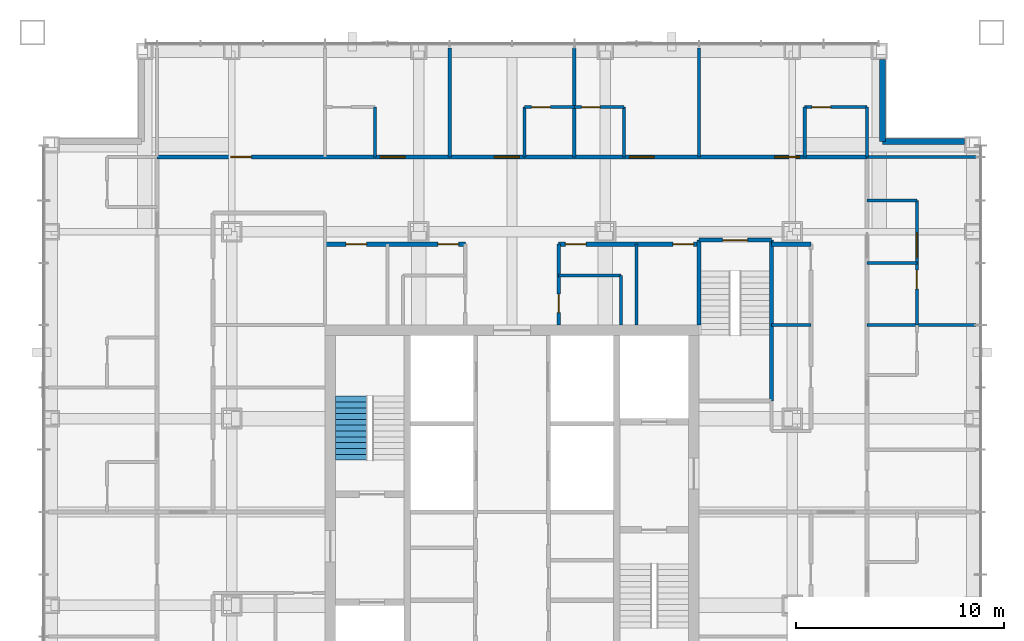
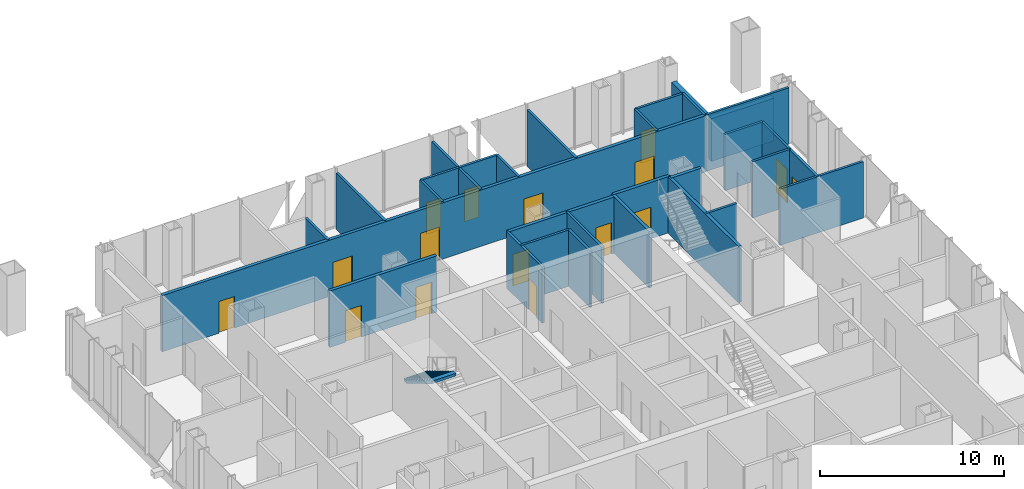
# One storey, part 16 of 20: 31 walls, 16 doors, 1 stair flight, 16 openings, 1 element without a shape of its own.
"""IFC4 building model written with IfcOpenShell, lengths in metres."""

from ifc_helpers import new_model, si_unit, direction, frame, frame_2d, origin, place, context, subcontext, project, spatial, polyline, rectangle, outline, extrude, material, layer, layer_set, type_object, element, fill, aggregate, save


model = new_model("IFC4")

# Units and contexts
model_context = context("Model", 3, precision=1e-05, world=origin(), true_north=direction((0.0, 1.0)))
body_context = subcontext(model_context, "Body", "Model", "MODEL_VIEW")
ifc_project = project(units=[si_unit("LENGTHUNIT", "METRE"), si_unit("AREAUNIT", "SQUARE_METRE"), si_unit("VOLUMEUNIT", "CUBIC_METRE"), si_unit("PLANEANGLEUNIT", "RADIAN"), si_unit("MASSUNIT", "GRAM", prefix="KILO")], contexts=[model_context])

# Site, building, storey
site_placement = place(None, origin())
site = spatial("IfcSite", under=ifc_project, at=site_placement, CompositionType="ELEMENT")
building_placement = place(site_placement, origin())
building = spatial("IfcBuilding", under=site, at=building_placement, Name="Malebo Sky Hospital", CompositionType="ELEMENT")
storey_placement = place(building_placement, frame((0.0, 0.0, 233.0)))
storey = spatial("IfcBuildingStorey", under=building, at=storey_placement, Name="L56", CompositionType="ELEMENT", Elevation=233.0)

# Wall, openings, doors
ifc_material_1 = material(Name="Gypsum board on steel studs", Category="steel")
ifc_layer_1 = layer(ifc_material_1, 0.199951171875)
ifc_layer_set_1 = layer_set([ifc_layer_1], Name="CORRIDOR WALL 200")
wall_type_1 = type_object("IfcWallType", Name="CORRIDOR WALL 200", PredefinedType="PARTITIONING", material=ifc_layer_set_1)
wall_1_placement = place(storey_placement, frame((42.89990234375, 79.10009765625, 0.0), z_axis=(0.0, 0.0, 1.0), x_axis=(1.0, 0.0, 0.0)))
wall_1 = element("IfcWall", 1, at=wall_1_placement, inside=storey, type_object=wall_type_1, Name="Corridor Wall 200 NCO", PredefinedType="PARTITIONING", context=body_context, shape_type="SweptSolid", body=[
    extrude(rectangle(XDim=34.2001953125, YDim=0.199951171875, at=frame_2d((17.10009765625, 0.0))), origin(), (0.0, 0.0, 1.0), 3.75),
])
opening_1_placement = place(wall_1_placement, frame((3.550048828125, 0.0, 0.0)))
opening_1 = element("IfcOpeningElement", 2, at=opening_1_placement, cuts=wall_1, Name="Opening D03", PredefinedType="OPENING", context=body_context, shape_type="SweptSolid", body=[
    extrude(rectangle(XDim=1.0, YDim=2.10009765625, at=frame_2d((0.5, 1.050048828125))), frame((0.0, 0.10986328125, 0.0), z_axis=(0.0, -1.0, 0.0), x_axis=(1.0, 0.0, 0.0)), (0.0, 0.0, 1.0), 0.219970703125),
])
opening_2_placement = place(wall_1_placement, frame((10.75, 0.0, 0.0)))
opening_2 = element("IfcOpeningElement", 3, at=opening_2_placement, cuts=wall_1, Name="Opening D01", PredefinedType="OPENING", context=body_context, shape_type="SweptSolid", body=[
    extrude(rectangle(XDim=1.199951171875, YDim=2.199951171875, at=frame_2d((0.60009765625, 1.10009765625))), frame((0.0, 0.10986328125, 0.0), z_axis=(0.0, -1.0, 0.0), x_axis=(1.0, 0.0, 0.0)), (0.0, 0.0, 1.0), 0.219970703125),
])
opening_3_placement = place(wall_1_placement, frame((16.25, 0.0, 0.0)))
opening_3 = element("IfcOpeningElement", 4, at=opening_3_placement, cuts=wall_1, Name="Opening D01", PredefinedType="OPENING", context=body_context, shape_type="SweptSolid", body=[
    extrude(rectangle(XDim=1.199951171875, YDim=2.199951171875, at=frame_2d((0.60009765625, 1.10009765625))), frame((0.0, 0.10986328125, 0.0), z_axis=(0.0, -1.0, 0.0), x_axis=(1.0, 0.0, 0.0)), (0.0, 0.0, 1.0), 0.219970703125),
])
opening_4_placement = place(wall_1_placement, frame((22.75, 0.0, 0.0)))
opening_4 = element("IfcOpeningElement", 5, at=opening_4_placement, cuts=wall_1, Name="Opening D01", PredefinedType="OPENING", context=body_context, shape_type="SweptSolid", body=[
    extrude(rectangle(XDim=1.199951171875, YDim=2.199951171875, at=frame_2d((0.60009765625, 1.10009765625))), frame((0.0, 0.10986328125, 0.0), z_axis=(0.0, -1.0, 0.0), x_axis=(1.0, 0.0, 0.0)), (0.0, 0.0, 1.0), 0.219970703125),
])
opening_5_placement = place(wall_1_placement, frame((29.75, 0.0, 0.0)))
opening_5 = element("IfcOpeningElement", 6, at=opening_5_placement, cuts=wall_1, Name="Opening D01", PredefinedType="OPENING", context=body_context, shape_type="SweptSolid", body=[
    extrude(rectangle(XDim=1.199951171875, YDim=2.199951171875, at=frame_2d((0.60009765625, 1.10009765625))), frame((0.0, 0.10986328125, 0.0), z_axis=(0.0, -1.0, 0.0), x_axis=(1.0, 0.0, 0.0)), (0.0, 0.0, 1.0), 0.219970703125),
])
ifc_material_2 = material(Name="Hardwood-faced door leaf in steel frame", Category="steel")
door_type_1 = type_object("IfcDoorType", Name="BED DOOR 1200", OperationType="SINGLE_SWING_LEFT", PredefinedType="DOOR", material=ifc_material_2)
door_1_placement = place(opening_2_placement, origin())
door_1 = element("IfcDoor", 7, at=door_1_placement, inside=storey, type_object=door_type_1, Name="Single bed room door", OperationType="SINGLE_SWING_LEFT", OverallHeight=2.199951171875, OverallWidth=1.199951171875, PredefinedType="DOOR", context=body_context, shape_type="SweptSolid", body=[
    extrude(rectangle(XDim=1.199951171875, YDim=2.199951171875, at=frame_2d((0.60009765625, 1.10009765625))), frame((0.0, 0.02490234375, 0.0), z_axis=(0.0, -1.0, 0.0), x_axis=(1.0, 0.0, 0.0)), (0.0, 0.0, 1.0), 0.050048828125),
])
fill(opening_2, door_1)
door_2_placement = place(opening_3_placement, origin())
door_2 = element("IfcDoor", 8, at=door_2_placement, inside=storey, type_object=door_type_1, Name="Single bed room door", OperationType="SINGLE_SWING_RIGHT", OverallHeight=2.199951171875, OverallWidth=1.199951171875, PredefinedType="DOOR", context=body_context, shape_type="SweptSolid", body=[
    extrude(rectangle(XDim=1.199951171875, YDim=2.199951171875, at=frame_2d((0.60009765625, 1.10009765625))), frame((0.0, 0.02490234375, 0.0), z_axis=(0.0, -1.0, 0.0), x_axis=(1.0, 0.0, 0.0)), (0.0, 0.0, 1.0), 0.050048828125),
])
fill(opening_3, door_2)
door_3_placement = place(opening_4_placement, origin())
door_3 = element("IfcDoor", 9, at=door_3_placement, inside=storey, type_object=door_type_1, Name="Single bed room door", OperationType="SINGLE_SWING_LEFT", OverallHeight=2.199951171875, OverallWidth=1.199951171875, PredefinedType="DOOR", context=body_context, shape_type="SweptSolid", body=[
    extrude(rectangle(XDim=1.199951171875, YDim=2.199951171875, at=frame_2d((0.60009765625, 1.10009765625))), frame((0.0, 0.02490234375, 0.0), z_axis=(0.0, -1.0, 0.0), x_axis=(1.0, 0.0, 0.0)), (0.0, 0.0, 1.0), 0.050048828125),
])
fill(opening_4, door_3)
door_4_placement = place(opening_5_placement, origin())
door_4 = element("IfcDoor", 10, at=door_4_placement, inside=storey, type_object=door_type_1, Name="Two-bed room door", OperationType="SINGLE_SWING_RIGHT", OverallHeight=2.199951171875, OverallWidth=1.199951171875, PredefinedType="DOOR", context=body_context, shape_type="SweptSolid", body=[
    extrude(rectangle(XDim=1.199951171875, YDim=2.199951171875, at=frame_2d((0.60009765625, 1.10009765625))), frame((0.0, 0.02490234375, 0.0), z_axis=(0.0, -1.0, 0.0), x_axis=(1.0, 0.0, 0.0)), (0.0, 0.0, 1.0), 0.050048828125),
])
fill(opening_5, door_4)
door_type_2 = type_object("IfcDoorType", Name="ROOM DOOR 1000", OperationType="SINGLE_SWING_LEFT", PredefinedType="DOOR", material=ifc_material_2)
door_5_placement = place(opening_1_placement, origin())
door_5 = element("IfcDoor", 11, at=door_5_placement, inside=storey, type_object=door_type_2, Name="School room door", OperationType="SINGLE_SWING_LEFT", OverallHeight=2.10009765625, OverallWidth=1.0, PredefinedType="DOOR", context=body_context, shape_type="SweptSolid", body=[
    extrude(rectangle(XDim=1.0, YDim=2.10009765625, at=frame_2d((0.5, 1.050048828125))), frame((0.0, 0.02490234375, 0.0), z_axis=(0.0, -1.0, 0.0), x_axis=(1.0, 0.0, 0.0)), (0.0, 0.0, 1.0), 0.050048828125),
])
fill(opening_1, door_5)

wall_2_placement = place(storey_placement, frame((51.0, 74.89990234375, 0.0), z_axis=(0.0, 0.0, 1.0), x_axis=(1.0, 0.0, 0.0)))
wall_2 = element("IfcWall", 12, at=wall_2_placement, inside=storey, type_object=wall_type_1, Name="Corridor Wall 200 NCI1", PredefinedType="PARTITIONING", context=body_context, shape_type="SweptSolid", body=[
    extrude(rectangle(XDim=6.75, YDim=0.199951171875, at=frame_2d((3.375, 0.0))), origin(), (0.0, 0.0, 1.0), 3.75),
])
opening_6_placement = place(wall_2_placement, frame((1.0, 0.0, 0.0)))
opening_6 = element("IfcOpeningElement", 13, at=opening_6_placement, cuts=wall_2, Name="Opening D03", PredefinedType="OPENING", context=body_context, shape_type="SweptSolid", body=[
    extrude(rectangle(XDim=1.0, YDim=2.10009765625, at=frame_2d((0.5, 1.050048828125))), frame((0.0, 0.10986328125, 0.0), z_axis=(0.0, -1.0, 0.0), x_axis=(1.0, 0.0, 0.0)), (0.0, 0.0, 1.0), 0.219970703125),
])
opening_7_placement = place(wall_2_placement, frame((5.425048828125, 0.0, 0.0)))
opening_7 = element("IfcOpeningElement", 14, at=opening_7_placement, cuts=wall_2, Name="Opening D03", PredefinedType="OPENING", context=body_context, shape_type="SweptSolid", body=[
    extrude(rectangle(XDim=1.0, YDim=2.10009765625, at=frame_2d((0.5, 1.050048828125))), frame((0.0, 0.10986328125, 0.0), z_axis=(0.0, -1.0, 0.0), x_axis=(1.0, 0.0, 0.0)), (0.0, 0.0, 1.0), 0.219970703125),
])
door_6_placement = place(opening_6_placement, origin())
door_6 = element("IfcDoor", 15, at=door_6_placement, inside=storey, type_object=door_type_2, Name="Sensory room door", OperationType="SINGLE_SWING_LEFT", OverallHeight=2.10009765625, OverallWidth=1.0, PredefinedType="DOOR", context=body_context, shape_type="SweptSolid", body=[
    extrude(rectangle(XDim=1.0, YDim=2.10009765625, at=frame_2d((0.5, 1.050048828125))), frame((0.0, 0.02490234375, 0.0), z_axis=(0.0, -1.0, 0.0), x_axis=(1.0, 0.0, 0.0)), (0.0, 0.0, 1.0), 0.050048828125),
])
fill(opening_6, door_6)
door_7_placement = place(opening_7_placement, origin())
door_7 = element("IfcDoor", 16, at=door_7_placement, inside=storey, type_object=door_type_2, Name="Equipment store door", OperationType="SINGLE_SWING_RIGHT", OverallHeight=2.10009765625, OverallWidth=1.0, PredefinedType="DOOR", context=body_context, shape_type="SweptSolid", body=[
    extrude(rectangle(XDim=1.0, YDim=2.10009765625, at=frame_2d((0.5, 1.050048828125))), frame((0.0, 0.02490234375, 0.0), z_axis=(0.0, -1.0, 0.0), x_axis=(1.0, 0.0, 0.0)), (0.0, 0.0, 1.0), 0.050048828125),
])
fill(opening_7, door_7)

wall_3_placement = place(storey_placement, frame((62.25, 74.89990234375, 0.0), z_axis=(0.0, 0.0, 1.0), x_axis=(1.0, 0.0, 0.0)))
wall_3 = element("IfcWall", 17, at=wall_3_placement, inside=storey, type_object=wall_type_1, Name="Corridor Wall 200 NCI2", PredefinedType="PARTITIONING", context=body_context, shape_type="SweptSolid", body=[
    extrude(rectangle(XDim=6.75, YDim=0.199951171875, at=frame_2d((3.375, 0.0))), origin(), (0.0, 0.0, 1.0), 3.75),
])
opening_8_placement = place(wall_3_placement, frame((0.324951171875, 0.0, 0.0)))
opening_8 = element("IfcOpeningElement", 18, at=opening_8_placement, cuts=wall_3, Name="Opening D03", PredefinedType="OPENING", context=body_context, shape_type="SweptSolid", body=[
    extrude(rectangle(XDim=1.0, YDim=2.10009765625, at=frame_2d((0.5, 1.050048828125))), frame((0.0, 0.10986328125, 0.0), z_axis=(0.0, -1.0, 0.0), x_axis=(1.0, 0.0, 0.0)), (0.0, 0.0, 1.0), 0.219970703125),
])
opening_9_placement = place(wall_3_placement, frame((5.5, 0.0, 0.0)))
opening_9 = element("IfcOpeningElement", 19, at=opening_9_placement, cuts=wall_3, Name="Opening D03", PredefinedType="OPENING", context=body_context, shape_type="SweptSolid", body=[
    extrude(rectangle(XDim=1.0, YDim=2.10009765625, at=frame_2d((0.5, 1.050048828125))), frame((0.0, 0.10986328125, 0.0), z_axis=(0.0, -1.0, 0.0), x_axis=(1.0, 0.0, 0.0)), (0.0, 0.0, 1.0), 0.219970703125),
])
door_8_placement = place(opening_8_placement, origin())
door_8 = element("IfcDoor", 20, at=door_8_placement, inside=storey, type_object=door_type_2, Name="Medication room door", OperationType="SINGLE_SWING_LEFT", OverallHeight=2.10009765625, OverallWidth=1.0, PredefinedType="DOOR", context=body_context, shape_type="SweptSolid", body=[
    extrude(rectangle(XDim=1.0, YDim=2.10009765625, at=frame_2d((0.5, 1.050048828125))), frame((0.0, 0.02490234375, 0.0), z_axis=(0.0, -1.0, 0.0), x_axis=(1.0, 0.0, 0.0)), (0.0, 0.0, 1.0), 0.050048828125),
])
fill(opening_8, door_8)
door_9_placement = place(opening_9_placement, origin())
door_9 = element("IfcDoor", 21, at=door_9_placement, inside=storey, type_object=door_type_2, Name="Teenage lounge door", OperationType="SINGLE_SWING_RIGHT", OverallHeight=2.10009765625, OverallWidth=1.0, PredefinedType="DOOR", context=body_context, shape_type="SweptSolid", body=[
    extrude(rectangle(XDim=1.0, YDim=2.10009765625, at=frame_2d((0.5, 1.050048828125))), frame((0.0, 0.02490234375, 0.0), z_axis=(0.0, -1.0, 0.0), x_axis=(1.0, 0.0, 0.0)), (0.0, 0.0, 1.0), 0.050048828125),
])
fill(opening_9, door_9)

# Walls
wall_4_placement = place(storey_placement, frame((72.5, 74.89990234375, 0.0), z_axis=(0.0, 0.0, 1.0), x_axis=(1.0, 0.0, 0.0)))
element("IfcWall", 22, at=wall_4_placement, inside=storey, type_object=wall_type_1, Name="Corridor Wall 200 NCI2/2", PredefinedType="PARTITIONING", context=body_context, shape_type="SweptSolid", body=[
    extrude(rectangle(XDim=1.89990234375, YDim=0.199951171875, at=frame_2d((0.949951171875, 0.0))), origin(), (0.0, 0.0, 1.0), 3.75),
])
ifc_material_3 = material(Name="Anodised aluminium rainscreen on steel framing", Category="steel")
ifc_layer_2 = layer(ifc_material_3, 0.300048828125)
ifc_layer_set_2 = layer_set([ifc_layer_2], Name="NOTCH RAINSCREEN WALL 300")
wall_type_2 = type_object("IfcWallType", Name="NOTCH RAINSCREEN WALL 300", PredefinedType="ELEMENTEDWALL", material=ifc_layer_set_2)
for number, where, z_axis, x_axis, name in (
    (23, (77.85009765625, 83.800048828125, 0.0), (0.0, 0.0, 1.0), (0.0, -1.0, 0.0), "Notch rainscreen wall N1 L56"),
    (24, (77.85009765625, 79.85009765625, 0.0), (0.0, 0.0, 1.0), (1.0, 0.0, 0.0), "Notch rainscreen wall N2 L56"),
):
    element("IfcWall", number, at=place(storey_placement, frame(where, z_axis=z_axis, x_axis=x_axis)), inside=storey, type_object=wall_type_2, Name=name, PredefinedType="ELEMENTEDWALL", context=body_context, shape_type="SweptSolid", body=[
        extrude(rectangle(XDim=3.949951171875, YDim=0.300048828125, at=frame_2d((1.97509765625, 0.0))), origin(), (0.0, 0.0, 1.0), 2.85009765625),
    ])
ifc_layer_3 = layer(ifc_material_1, 0.14990234375)
ifc_layer_set_3 = layer_set([ifc_layer_3], Name="PARTITION 150")
wall_type_3 = type_object("IfcWallType", Name="PARTITION 150", PredefinedType="PARTITIONING", material=ifc_layer_set_3)
for number, where, z_axis, x_axis, name in (
    (25, (57.0, 79.10009765625, 0.0), (0.0, 0.0, 1.0), (0.0, 1.0, 0.0), "Partition 150 NP-3.0"),
    (26, (63.0, 79.10009765625, 0.0), (0.0, 0.0, 1.0), (0.0, 1.0, 0.0), "Partition 150 NP+3.0"),
    (27, (69.0, 79.10009765625, 0.0), (0.0, 0.0, 1.0), (0.0, 1.0, 0.0), "Partition 150 NP+9.0"),
):
    element("IfcWall", number, at=place(storey_placement, frame(where, z_axis=z_axis, x_axis=x_axis)), inside=storey, type_object=wall_type_3, Name=name, PredefinedType="PARTITIONING", context=body_context, shape_type="SweptSolid", body=[
        extrude(rectangle(XDim=5.25, YDim=0.14990234375, at=frame_2d((2.625, 0.0))), origin(), (0.0, 0.0, 1.0), 3.75),
    ])
wall_5_placement = place(storey_placement, frame((53.39990234375, 79.10009765625, 0.0), z_axis=(0.0, 0.0, 1.0), x_axis=(0.0, 1.0, 0.0)))
element("IfcWall", 28, at=wall_5_placement, inside=storey, type_object=wall_type_3, Name="Partition 150 NE1S", PredefinedType="PARTITIONING", context=body_context, shape_type="SweptSolid", body=[
    extrude(rectangle(XDim=2.39990234375, YDim=0.14990234375, at=frame_2d((1.199951171875, 0.0))), origin(), (0.0, 0.0, 1.0), 3.75),
])

# Wall, opening, door
wall_6_placement = place(storey_placement, frame((60.60009765625, 81.5, 0.0), z_axis=(0.0, 0.0, 1.0), x_axis=(1.0, 0.0, 0.0)))
wall_6 = element("IfcWall", 29, at=wall_6_placement, inside=storey, type_object=wall_type_3, Name="Partition 150 NE2F", PredefinedType="PARTITIONING", context=body_context, shape_type="SweptSolid", body=[
    extrude(rectangle(XDim=2.39990234375, YDim=0.14990234375, at=frame_2d((1.199951171875, 0.0))), origin(), (0.0, 0.0, 1.0), 3.75),
])
opening_10_placement = place(wall_6_placement, frame((0.35009765625, 0.0, 0.0)))
opening_10 = element("IfcOpeningElement", 30, at=opening_10_placement, cuts=wall_6, Name="Opening D02", PredefinedType="OPENING", context=body_context, shape_type="SweptSolid", body=[
    extrude(rectangle(XDim=0.89990234375, YDim=2.10009765625, at=frame_2d((0.449951171875, 1.050048828125))), frame((0.0, 0.0849609375, 0.0), z_axis=(0.0, -1.0, 0.0), x_axis=(1.0, 0.0, 0.0)), (0.0, 0.0, 1.0), 0.169921875),
])
door_type_3 = type_object("IfcDoorType", Name="EN-SUITE DOOR 900", OperationType="SINGLE_SWING_LEFT", PredefinedType="DOOR", material=ifc_material_2)
door_10_placement = place(opening_10_placement, origin())
door_10 = element("IfcDoor", 31, at=door_10_placement, inside=storey, type_object=door_type_3, Name="En-suite door", OperationType="SINGLE_SWING_LEFT", OverallHeight=2.10009765625, OverallWidth=0.89990234375, PredefinedType="DOOR", context=body_context, shape_type="SweptSolid", body=[
    extrude(rectangle(XDim=0.89990234375, YDim=2.10009765625, at=frame_2d((0.449951171875, 1.050048828125))), frame((0.0, 0.02490234375, 0.0), z_axis=(0.0, -1.0, 0.0), x_axis=(1.0, 0.0, 0.0)), (0.0, 0.0, 1.0), 0.050048828125),
])
fill(opening_10, door_10)

# Wall
wall_7_placement = place(storey_placement, frame((60.60009765625, 79.10009765625, 0.0), z_axis=(0.0, 0.0, 1.0), x_axis=(0.0, 1.0, 0.0)))
element("IfcWall", 32, at=wall_7_placement, inside=storey, type_object=wall_type_3, Name="Partition 150 NE2S", PredefinedType="PARTITIONING", context=body_context, shape_type="SweptSolid", body=[
    extrude(rectangle(XDim=2.39990234375, YDim=0.14990234375, at=frame_2d((1.199951171875, 0.0))), origin(), (0.0, 0.0, 1.0), 3.75),
])

# Wall, opening, door
wall_8_placement = place(storey_placement, frame((63.0, 81.5, 0.0), z_axis=(0.0, 0.0, 1.0), x_axis=(1.0, 0.0, 0.0)))
wall_8 = element("IfcWall", 33, at=wall_8_placement, inside=storey, type_object=wall_type_3, Name="Partition 150 NE3F", PredefinedType="PARTITIONING", context=body_context, shape_type="SweptSolid", body=[
    extrude(rectangle(XDim=2.39990234375, YDim=0.14990234375, at=frame_2d((1.199951171875, 0.0))), origin(), (0.0, 0.0, 1.0), 3.75),
])
opening_11_placement = place(wall_8_placement, frame((0.35009765625, 0.0, 0.0)))
opening_11 = element("IfcOpeningElement", 34, at=opening_11_placement, cuts=wall_8, Name="Opening D02", PredefinedType="OPENING", context=body_context, shape_type="SweptSolid", body=[
    extrude(rectangle(XDim=0.89990234375, YDim=2.10009765625, at=frame_2d((0.449951171875, 1.050048828125))), frame((0.0, 0.0849609375, 0.0), z_axis=(0.0, -1.0, 0.0), x_axis=(1.0, 0.0, 0.0)), (0.0, 0.0, 1.0), 0.169921875),
])
door_11_placement = place(opening_11_placement, origin())
door_11 = element("IfcDoor", 35, at=door_11_placement, inside=storey, type_object=door_type_3, Name="En-suite door", OperationType="SINGLE_SWING_LEFT", OverallHeight=2.10009765625, OverallWidth=0.89990234375, PredefinedType="DOOR", context=body_context, shape_type="SweptSolid", body=[
    extrude(rectangle(XDim=0.89990234375, YDim=2.10009765625, at=frame_2d((0.449951171875, 1.050048828125))), frame((0.0, 0.02490234375, 0.0), z_axis=(0.0, -1.0, 0.0), x_axis=(1.0, 0.0, 0.0)), (0.0, 0.0, 1.0), 0.050048828125),
])
fill(opening_11, door_11)

# Wall
wall_9_placement = place(storey_placement, frame((65.39990234375, 79.10009765625, 0.0), z_axis=(0.0, 0.0, 1.0), x_axis=(0.0, 1.0, 0.0)))
element("IfcWall", 36, at=wall_9_placement, inside=storey, type_object=wall_type_3, Name="Partition 150 NE3S", PredefinedType="PARTITIONING", context=body_context, shape_type="SweptSolid", body=[
    extrude(rectangle(XDim=2.39990234375, YDim=0.14990234375, at=frame_2d((1.199951171875, 0.0))), origin(), (0.0, 0.0, 1.0), 3.75),
])

# Wall, opening, door
wall_10_placement = place(storey_placement, frame((74.10009765625, 81.5, 0.0), z_axis=(0.0, 0.0, 1.0), x_axis=(1.0, 0.0, 0.0)))
wall_10 = element("IfcWall", 37, at=wall_10_placement, inside=storey, type_object=wall_type_3, Name="Partition 150 NE4F", PredefinedType="PARTITIONING", context=body_context, shape_type="SweptSolid", body=[
    extrude(rectangle(XDim=3.0, YDim=0.14990234375, at=frame_2d((1.5, 0.0))), origin(), (0.0, 0.0, 1.0), 3.75),
])
opening_12_placement = place(wall_10_placement, frame((0.35009765625, 0.0, 0.0)))
opening_12 = element("IfcOpeningElement", 38, at=opening_12_placement, cuts=wall_10, Name="Opening D02", PredefinedType="OPENING", context=body_context, shape_type="SweptSolid", body=[
    extrude(rectangle(XDim=0.89990234375, YDim=2.10009765625, at=frame_2d((0.449951171875, 1.050048828125))), frame((0.0, 0.0849609375, 0.0), z_axis=(0.0, -1.0, 0.0), x_axis=(1.0, 0.0, 0.0)), (0.0, 0.0, 1.0), 0.169921875),
])
door_12_placement = place(opening_12_placement, origin())
door_12 = element("IfcDoor", 39, at=door_12_placement, inside=storey, type_object=door_type_3, Name="En-suite door", OperationType="SINGLE_SWING_LEFT", OverallHeight=2.10009765625, OverallWidth=0.89990234375, PredefinedType="DOOR", context=body_context, shape_type="SweptSolid", body=[
    extrude(rectangle(XDim=0.89990234375, YDim=2.10009765625, at=frame_2d((0.449951171875, 1.050048828125))), frame((0.0, 0.02490234375, 0.0), z_axis=(0.0, -1.0, 0.0), x_axis=(1.0, 0.0, 0.0)), (0.0, 0.0, 1.0), 0.050048828125),
])
fill(opening_12, door_12)

# Walls
for number, where, z_axis, x_axis, name in (
    (40, (74.10009765625, 79.10009765625, 0.0), (0.0, 0.0, 1.0), (0.0, 1.0, 0.0), "Partition 150 NE4S"),
    (41, (77.10009765625, 79.10009765625, 0.0), (0.0, 0.0, 1.0), (0.0, 1.0, 0.0), "Partition 150 NEZ"),
):
    element("IfcWall", number, at=place(storey_placement, frame(where, z_axis=z_axis, x_axis=x_axis)), inside=storey, type_object=wall_type_3, Name=name, PredefinedType="PARTITIONING", context=body_context, shape_type="SweptSolid", body=[
        extrude(rectangle(XDim=2.39990234375, YDim=0.14990234375, at=frame_2d((1.199951171875, 0.0))), origin(), (0.0, 0.0, 1.0), 3.75),
    ])

# Wall, opening, door
wall_11_placement = place(storey_placement, frame((62.25, 71.0, 0.0), z_axis=(0.0, 0.0, 1.0), x_axis=(0.0, 1.0, 0.0)))
wall_11 = element("IfcWall", 42, at=wall_11_placement, inside=storey, type_object=wall_type_3, Name="Partition 150 NSPB", PredefinedType="PARTITIONING", context=body_context, shape_type="SweptSolid", body=[
    extrude(rectangle(XDim=3.89990234375, YDim=0.14990234375, at=frame_2d((1.949951171875, 0.0))), origin(), (0.0, 0.0, 1.0), 3.75),
])
opening_13_placement = place(wall_11_placement, frame((0.60009765625, 0.0, 0.0)))
opening_13 = element("IfcOpeningElement", 43, at=opening_13_placement, cuts=wall_11, Name="Opening D04", PredefinedType="OPENING", context=body_context, shape_type="SweptSolid", body=[
    extrude(rectangle(XDim=0.89990234375, YDim=2.10009765625, at=frame_2d((0.449951171875, 1.050048828125))), frame((0.0, 0.0849609375, 0.0), z_axis=(0.0, -1.0, 0.0), x_axis=(1.0, 0.0, 0.0)), (0.0, 0.0, 1.0), 0.169921875),
])
door_type_4 = type_object("IfcDoorType", Name="ROOM DOOR 900", OperationType="SINGLE_SWING_LEFT", PredefinedType="DOOR", material=ifc_material_2)
door_13_placement = place(opening_13_placement, origin())
door_13 = element("IfcDoor", 44, at=door_13_placement, inside=storey, type_object=door_type_4, Name="Accessible WC door", OperationType="SINGLE_SWING_LEFT", OverallHeight=2.10009765625, OverallWidth=0.89990234375, PredefinedType="DOOR", context=body_context, shape_type="SweptSolid", body=[
    extrude(rectangle(XDim=0.89990234375, YDim=2.10009765625, at=frame_2d((0.449951171875, 1.050048828125))), frame((0.0, 0.02490234375, 0.0), z_axis=(0.0, -1.0, 0.0), x_axis=(1.0, 0.0, 0.0)), (0.0, 0.0, 1.0), 0.050048828125),
])
fill(opening_13, door_13)

# Walls
wall_12_placement = place(storey_placement, frame((66.0, 71.0, 0.0), z_axis=(0.0, 0.0, 1.0), x_axis=(0.0, 1.0, 0.0)))
element("IfcWall", 45, at=wall_12_placement, inside=storey, type_object=wall_type_3, Name="Partition 150 NSP+6.0", PredefinedType="PARTITIONING", context=body_context, shape_type="SweptSolid", body=[
    extrude(rectangle(XDim=3.89990234375, YDim=0.14990234375, at=frame_2d((1.949951171875, 0.0))), origin(), (0.0, 0.0, 1.0), 3.75),
])
wall_13_placement = place(storey_placement, frame((62.25, 73.39990234375, 0.0), z_axis=(0.0, 0.0, 1.0), x_axis=(1.0, 0.0, 0.0)))
element("IfcWall", 46, at=wall_13_placement, inside=storey, type_object=wall_type_3, Name="Partition 150 NSX2", PredefinedType="PARTITIONING", context=body_context, shape_type="SweptSolid", body=[
    extrude(rectangle(XDim=3.0, YDim=0.14990234375, at=frame_2d((1.5, 0.0))), origin(), (0.0, 0.0, 1.0), 3.75),
])
wall_14_placement = place(storey_placement, frame((65.25, 71.0, 0.0), z_axis=(0.0, 0.0, 1.0), x_axis=(0.0, 1.0, 0.0)))
element("IfcWall", 47, at=wall_14_placement, inside=storey, type_object=wall_type_3, Name="Partition 150 NSY2", PredefinedType="PARTITIONING", context=body_context, shape_type="SweptSolid", body=[
    extrude(rectangle(XDim=2.39990234375, YDim=0.14990234375, at=frame_2d((1.199951171875, 0.0))), origin(), (0.0, 0.0, 1.0), 3.75),
])
for number, where, z_axis, x_axis, name in (
    (48, (77.10009765625, 71.0, 0.0), (0.0, 0.0, 1.0), (1.0, 0.0, 0.0), "Partition 150 EP-9.0"),
    (49, (77.10009765625, 79.10009765625, 0.0), (0.0, 0.0, 1.0), (1.0, 0.0, 0.0), "Partition 150 EP0"),
):
    element("IfcWall", number, at=place(storey_placement, frame(where, z_axis=z_axis, x_axis=x_axis)), inside=storey, type_object=wall_type_3, Name=name, PredefinedType="PARTITIONING", context=body_context, shape_type="SweptSolid", body=[
        extrude(rectangle(XDim=5.25, YDim=0.14990234375, at=frame_2d((2.625, 0.0))), origin(), (0.0, 0.0, 1.0), 3.75),
    ])

# Wall, opening, door
wall_15_placement = place(storey_placement, frame((79.5, 74.0, 0.0), z_axis=(0.0, 0.0, 1.0), x_axis=(0.0, -1.0, 0.0)))
wall_15 = element("IfcWall", 50, at=wall_15_placement, inside=storey, type_object=wall_type_3, Name="Partition 150 EE0F", PredefinedType="PARTITIONING", context=body_context, shape_type="SweptSolid", body=[
    extrude(rectangle(XDim=3.0, YDim=0.14990234375, at=frame_2d((1.5, 0.0))), origin(), (0.0, 0.0, 1.0), 3.75),
])
opening_14_placement = place(wall_15_placement, frame((0.35009765625, 0.0, 0.0)))
opening_14 = element("IfcOpeningElement", 51, at=opening_14_placement, cuts=wall_15, Name="Opening D02", PredefinedType="OPENING", context=body_context, shape_type="SweptSolid", body=[
    extrude(rectangle(XDim=0.89990234375, YDim=2.10009765625, at=frame_2d((0.449951171875, 1.050048828125))), frame((0.0, 0.0849609375, 0.0), z_axis=(0.0, -1.0, 0.0), x_axis=(1.0, 0.0, 0.0)), (0.0, 0.0, 1.0), 0.169921875),
])
door_14_placement = place(opening_14_placement, origin())
door_14 = element("IfcDoor", 52, at=door_14_placement, inside=storey, type_object=door_type_3, Name="En-suite door", OperationType="SINGLE_SWING_LEFT", OverallHeight=2.10009765625, OverallWidth=0.89990234375, PredefinedType="DOOR", context=body_context, shape_type="SweptSolid", body=[
    extrude(rectangle(XDim=0.89990234375, YDim=2.10009765625, at=frame_2d((0.449951171875, 1.050048828125))), frame((0.0, 0.02490234375, 0.0), z_axis=(0.0, -1.0, 0.0), x_axis=(1.0, 0.0, 0.0)), (0.0, 0.0, 1.0), 0.050048828125),
])
fill(opening_14, door_14)

# Walls
wall_16_placement = place(storey_placement, frame((77.10009765625, 74.0, 0.0), z_axis=(0.0, 0.0, 1.0), x_axis=(1.0, 0.0, 0.0)))
element("IfcWall", 53, at=wall_16_placement, inside=storey, type_object=wall_type_3, Name="Partition 150 EE0S", PredefinedType="PARTITIONING", context=body_context, shape_type="SweptSolid", body=[
    extrude(rectangle(XDim=2.39990234375, YDim=0.14990234375, at=frame_2d((1.199951171875, 0.0))), origin(), (0.0, 0.0, 1.0), 3.75),
])
wall_17_placement = place(storey_placement, frame((72.5, 71.0, 0.0), z_axis=(0.0, 0.0, 1.0), x_axis=(1.0, 0.0, 0.0)))
element("IfcWall", 54, at=wall_17_placement, inside=storey, type_object=wall_type_3, Name="Partition 150 ESP0", PredefinedType="PARTITIONING", context=body_context, shape_type="SweptSolid", body=[
    extrude(rectangle(XDim=1.89990234375, YDim=0.14990234375, at=frame_2d((0.949951171875, 0.0))), origin(), (0.0, 0.0, 1.0), 3.75),
])

# Wall, opening, door
ifc_material_4 = material(Name="Sealed gypsum board on steel studs, taped to the slab", Category="steel")
ifc_layer_4 = layer(ifc_material_4, 0.14990234375)
ifc_layer_set_4 = layer_set([ifc_layer_4], Name="SEALED ISOLATION PARTITION 150")
wall_type_4 = type_object("IfcWallType", Name="SEALED ISOLATION PARTITION 150", PredefinedType="PARTITIONING", material=ifc_layer_set_4)
wall_18_placement = place(storey_placement, frame((79.5, 77.0, 0.0), z_axis=(0.0, 0.0, 1.0), x_axis=(0.0, -1.0, 0.0)))
wall_18 = element("IfcWall", 55, at=wall_18_placement, inside=storey, type_object=wall_type_4, Name="Sealed Isolation Partition 150 EA0F", PredefinedType="PARTITIONING", context=body_context, shape_type="SweptSolid", body=[
    extrude(rectangle(XDim=3.0, YDim=0.14990234375, at=frame_2d((1.5, 0.0))), origin(), (0.0, 0.0, 1.0), 3.75),
])
opening_15_placement = place(wall_18_placement, frame((1.550048828125, 0.0, 0.0)))
opening_15 = element("IfcOpeningElement", 56, at=opening_15_placement, cuts=wall_18, Name="Opening D19", PredefinedType="OPENING", context=body_context, shape_type="SweptSolid", body=[
    extrude(rectangle(XDim=1.199951171875, YDim=2.199951171875, at=frame_2d((0.60009765625, 1.10009765625))), frame((0.0, 0.0849609375, 0.0), z_axis=(0.0, -1.0, 0.0), x_axis=(1.0, 0.0, 0.0)), (0.0, 0.0, 1.0), 0.169921875),
])
ifc_material_5 = material(Name="Hardwood-faced door leaf with perimeter seals in steel frame", Category="steel")
door_type_5 = type_object("IfcDoorType", Name="SEALED ISOLATION ROOM DOOR 1200", OperationType="SINGLE_SWING_LEFT", PredefinedType="DOOR", material=ifc_material_5)
door_15_placement = place(opening_15_placement, origin())
door_15 = element("IfcDoor", 57, at=door_15_placement, inside=storey, type_object=door_type_5, Name="Isolation room door", OperationType="SINGLE_SWING_RIGHT", OverallHeight=2.199951171875, OverallWidth=1.199951171875, PredefinedType="DOOR", context=body_context, shape_type="SweptSolid", body=[
    extrude(rectangle(XDim=1.199951171875, YDim=2.199951171875, at=frame_2d((0.60009765625, 1.10009765625))), frame((0.0, 0.02490234375, 0.0), z_axis=(0.0, -1.0, 0.0), x_axis=(1.0, 0.0, 0.0)), (0.0, 0.0, 1.0), 0.050048828125),
])
fill(opening_15, door_15)

# Walls
wall_19_placement = place(storey_placement, frame((77.10009765625, 77.0, 0.0), z_axis=(0.0, 0.0, 1.0), x_axis=(1.0, 0.0, 0.0)))
element("IfcWall", 58, at=wall_19_placement, inside=storey, type_object=wall_type_4, Name="Sealed Isolation Partition 150 EA0S", PredefinedType="PARTITIONING", context=body_context, shape_type="SweptSolid", body=[
    extrude(rectangle(XDim=2.39990234375, YDim=0.14990234375, at=frame_2d((1.199951171875, 0.0))), origin(), (0.0, 0.0, 1.0), 3.75),
])
ifc_material_6 = material(Name="Concrete C40/50", Category="concrete")
ifc_layer_5 = layer(ifc_material_6, 0.199951171875)
ifc_layer_set_5 = layer_set([ifc_layer_5], Name="STAIR ENCLOSURE WALL 200")
wall_type_5 = type_object("IfcWallType", Name="STAIR ENCLOSURE WALL 200", PredefinedType="SOLIDWALL", material=ifc_layer_set_5)
wall_20_placement = place(storey_placement, frame((69.0, 71.0, 0.0), z_axis=(0.0, 0.0, 1.0), x_axis=(0.0, 1.0, 0.0)))
element("IfcWall", 59, at=wall_20_placement, inside=storey, type_object=wall_type_5, Name="Stair Enclosure Wall 200 ST3W", PredefinedType="SOLIDWALL", context=body_context, shape_type="SweptSolid", body=[
    extrude(rectangle(XDim=4.10009765625, YDim=0.199951171875, at=frame_2d((2.050048828125, 0.0))), origin(), (0.0, 0.0, 1.0), 3.75),
])
wall_21_placement = place(storey_placement, frame((72.5, 67.35009765625, 0.0), z_axis=(0.0, 0.0, 1.0), x_axis=(0.0, 1.0, 0.0)))
element("IfcWall", 60, at=wall_21_placement, inside=storey, type_object=wall_type_5, Name="Stair Enclosure Wall 200 ST3E", PredefinedType="SOLIDWALL", context=body_context, shape_type="SweptSolid", body=[
    extrude(rectangle(XDim=7.75, YDim=0.199951171875, at=frame_2d((3.875, 0.0))), origin(), (0.0, 0.0, 1.0), 3.75),
])

# Wall, opening, door
wall_22_placement = place(storey_placement, frame((69.0, 75.10009765625, 0.0), z_axis=(0.0, 0.0, 1.0), x_axis=(1.0, 0.0, 0.0)))
wall_22 = element("IfcWall", 61, at=wall_22_placement, inside=storey, type_object=wall_type_5, Name="Stair Enclosure Wall 200 ST3N", PredefinedType="SOLIDWALL", context=body_context, shape_type="SweptSolid", body=[
    extrude(rectangle(XDim=3.5, YDim=0.199951171875, at=frame_2d((1.75, 0.0))), origin(), (0.0, 0.0, 1.0), 3.75),
])
opening_16_placement = place(wall_22_placement, frame((1.14990234375, 0.0, 0.0)))
opening_16 = element("IfcOpeningElement", 62, at=opening_16_placement, cuts=wall_22, Name="Opening D08", PredefinedType="OPENING", context=body_context, shape_type="SweptSolid", body=[
    extrude(rectangle(XDim=1.199951171875, YDim=2.10009765625, at=frame_2d((0.60009765625, 1.050048828125))), frame((0.0, 0.10986328125, 0.0), z_axis=(0.0, -1.0, 0.0), x_axis=(1.0, 0.0, 0.0)), (0.0, 0.0, 1.0), 0.219970703125),
])
door_type_6 = type_object("IfcDoorType", Name="STAIR DOOR 1200", OperationType="SINGLE_SWING_LEFT", PredefinedType="DOOR", material=ifc_material_2)
door_16_placement = place(opening_16_placement, origin())
door_16 = element("IfcDoor", 63, at=door_16_placement, inside=storey, type_object=door_type_6, Name="Stair S3 door", OperationType="SINGLE_SWING_LEFT", OverallHeight=2.10009765625, OverallWidth=1.199951171875, PredefinedType="DOOR", context=body_context, shape_type="SweptSolid", body=[
    extrude(rectangle(XDim=1.199951171875, YDim=2.10009765625, at=frame_2d((0.60009765625, 1.050048828125))), frame((0.0, 0.02490234375, 0.0), z_axis=(0.0, -1.0, 0.0), x_axis=(1.0, 0.0, 0.0)), (0.0, 0.0, 1.0), 0.050048828125),
])
fill(opening_16, door_16)

# Stair, stair flight
stair_type = type_object("IfcStairType", Name="HALF-TURN STAIR 1500 R167", PredefinedType="HALF_TURN_STAIR", material=ifc_material_6)
stair_placement = place(storey_placement, origin())
stair = element("IfcStair", 64, at=stair_placement, inside=storey, type_object=stair_type, Name="Stair S1 L56 type ST1", PredefinedType="HALF_TURN_STAIR")
stair_flight_type = type_object("IfcStairFlightType", Name="STAIR FLIGHT 1500 R167", PredefinedType="STRAIGHT", material=ifc_material_6)
stair_flight_placement = place(storey_placement, frame((52.25, 67.580078125, 2.0), z_axis=(0.0, 0.0, 1.0), x_axis=(0.0, -1.0, 0.0)))
stair_flight = element("IfcStairFlight", 65, at=stair_flight_placement, type_object=stair_flight_type, Name="S1 flight 2 type SF1", NumberOfRisers=12, NumberOfTreads=11, PredefinedType="STRAIGHT", RiserHeight=0.166666667, TreadLength=0.28, context=body_context, shape_type="SweptSolid", body=[
    extrude(outline(polyline([(0.0, 0.0), (0.0, 0.166748046875), (0.280029296875, 0.166748046875), (0.280029296875, 0.333251953125), (0.56005859375, 0.333251953125), (0.56005859375, 0.5), (0.840087890625, 0.5), (0.840087890625, 0.666748046875), (1.1201171875, 0.666748046875), (1.1201171875, 0.833251953125), (1.39990234375, 0.833251953125), (1.39990234375, 1.0), (1.679931640625, 1.0), (1.679931640625, 1.166748046875), (1.9599609375, 1.166748046875), (1.9599609375, 1.333251953125), (2.239990234375, 1.333251953125), (2.239990234375, 1.5), (2.52001953125, 1.5), (2.52001953125, 1.666748046875), (2.800048828125, 1.666748046875), (2.800048828125, 1.833251953125), (3.080078125, 1.833251953125), (3.080078125, 2.0), (3.080078125, 1.658935546875), (0.29296875, 0.0), (0.0, 0.0)])), frame((0.0, 0.75, 0.0), z_axis=(0.0, -1.0, 0.0), x_axis=(1.0, 0.0, 0.0)), (0.0, 0.0, 1.0), 1.5),
])
aggregate(stair, [stair_flight])

save(model, "model.ifc")
